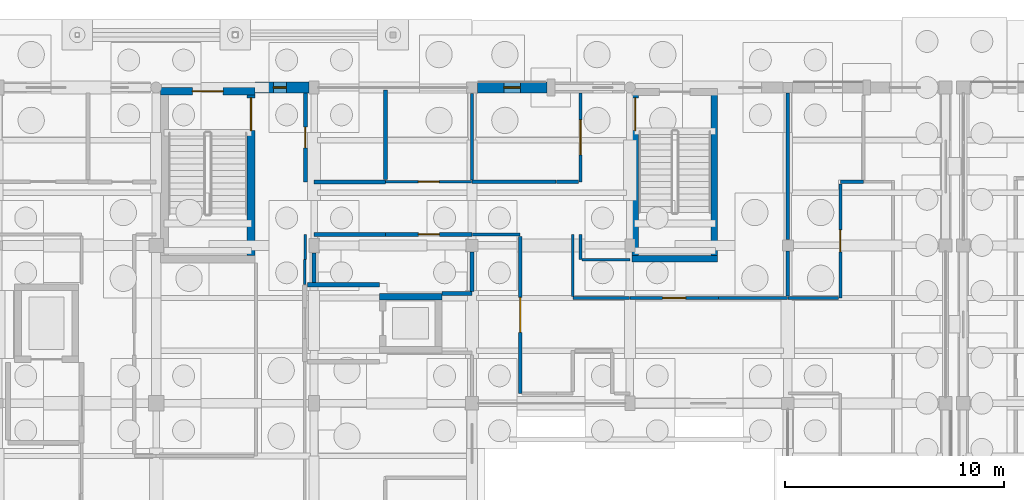
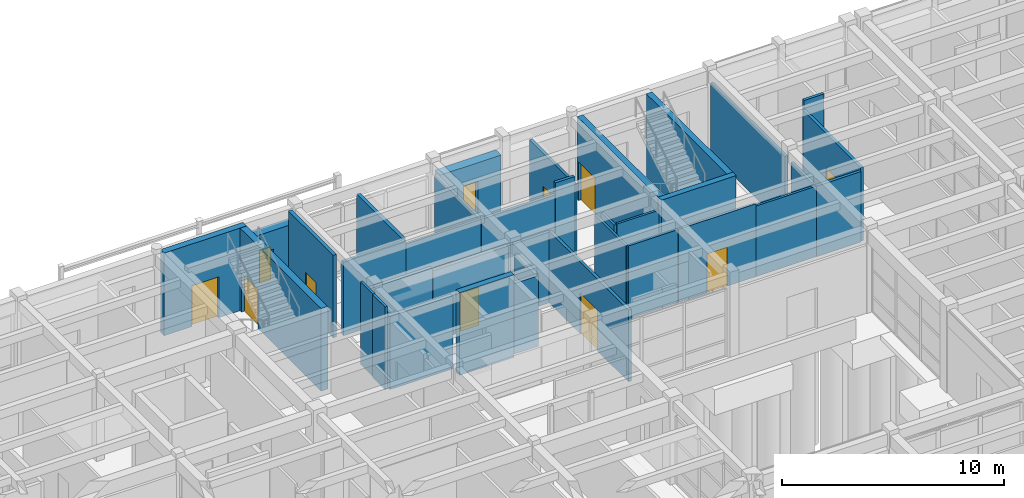
# One storey, part 115 of 143: 37 walls, 10 doors, 2 windows, 12 openings.
"""IFC4 building model written with IfcOpenShell, lengths in metres."""

from ifc_helpers import new_model, si_unit, direction, frame, frame_2d, origin, place, context, subcontext, project, spatial, rectangle, extrude, material, layer, layer_set, type_object, element, fill, save


model = new_model("IFC4")

# Units and contexts
model_context = context("Model", 3, precision=1e-05, world=origin(), true_north=direction((0.0, 1.0)))
body_context = subcontext(model_context, "Body", "Model", "MODEL_VIEW")
ifc_project = project(units=[si_unit("LENGTHUNIT", "METRE"), si_unit("AREAUNIT", "SQUARE_METRE"), si_unit("VOLUMEUNIT", "CUBIC_METRE"), si_unit("PLANEANGLEUNIT", "RADIAN"), si_unit("MASSUNIT", "GRAM", prefix="KILO")], contexts=[model_context])

# Site, building, storey
site_placement = place(None, origin())
site = spatial("IfcSite", under=ifc_project, at=site_placement, CompositionType="ELEMENT")
building_placement = place(site_placement, origin())
building = spatial("IfcBuilding", under=site, at=building_placement, Name="Steenspoor Specialist Clinic", CompositionType="ELEMENT")
storey_placement = place(building_placement, origin())
storey = spatial("IfcBuildingStorey", under=building, at=storey_placement, Name="L00", CompositionType="ELEMENT", Elevation=0.0)

# Wall, opening, window
ifc_material_1 = material(Name="Volcanic basalt ashlar masonry", Category="masonry")
ifc_layer_1 = layer(ifc_material_1, 0.47998046875)
ifc_layer_set_1 = layer_set([ifc_layer_1], Name="Volcanic basalt ashlar masonry")
wall_type_1 = type_object("IfcWallType", Name="W-BASALT-480", PredefinedType="SOLIDWALL", material=ifc_layer_set_1)
wall_1_placement = place(storey_placement, frame((85.699951171875, 108.35009765625, 0.0), z_axis=(0.0, 0.0, 1.0), x_axis=(1.0, 0.0, 0.0)))
wall_1 = element("IfcWall", 1, at=wall_1_placement, inside=storey, type_object=wall_type_1, Name="Exterior Brick Wall EW-V4-L00-0092", PredefinedType="SOLIDWALL", context=body_context, shape_type="SweptSolid", body=[
    extrude(rectangle(XDim=2.47509765625, YDim=0.47998046875, at=frame_2d((1.237548828125, 0.0))), origin(), (0.0, 0.0, 1.0), 3.72998046875),
])
opening_1_placement = place(wall_1_placement, frame((0.840087890625, 0.0, 0.89990234375)))
opening_1 = element("IfcOpeningElement", 2, at=opening_1_placement, cuts=wall_1, Name="Opening WN-01", PredefinedType="OPENING", context=body_context, shape_type="SweptSolid", body=[
    extrude(rectangle(XDim=0.60009765625, YDim=1.800048828125, at=frame_2d((0.300048828125, 0.89990234375))), frame((0.0, 0.25, 0.0), z_axis=(0.0, -1.0, 0.0), x_axis=(1.0, 0.0, 0.0)), (0.0, 0.0, 1.0), 0.5),
])
ifc_material_2 = material(Name="Thermally broken aluminium and low-emissivity glass", Category="aluminium")
window_type_1 = type_object("IfcWindowType", Name="WN-EXT-060X180", PartitioningType="SINGLE_PANEL", PredefinedType="WINDOW", material=ifc_material_2)
window_1_placement = place(opening_1_placement, origin())
window_1 = element("IfcWindow", 3, at=window_1_placement, inside=storey, type_object=window_type_1, Name="Window 0113", OverallHeight=1.800048828125, OverallWidth=0.60009765625, PartitioningType="SINGLE_PANEL", PredefinedType="WINDOW", context=body_context, shape_type="SweptSolid", body=[
    extrude(rectangle(XDim=0.60009765625, YDim=1.800048828125, at=frame_2d((0.300048828125, 0.89990234375))), frame((0.0, 0.030029296875, 0.0), z_axis=(0.0, -1.0, 0.0), x_axis=(1.0, 0.0, 0.0)), (0.0, 0.0, 1.0), 0.06005859375),
])
fill(opening_1, window_1)

wall_2_placement = place(storey_placement, frame((95.85009765625, 108.35009765625, 0.0), z_axis=(0.0, 0.0, 1.0), x_axis=(1.0, 0.0, 0.0)))
wall_2 = element("IfcWall", 4, at=wall_2_placement, inside=storey, type_object=wall_type_1, Name="Exterior Brick Wall EW-V4-L00-0093", PredefinedType="SOLIDWALL", context=body_context, shape_type="SweptSolid", body=[
    extrude(rectangle(XDim=3.159912109375, YDim=0.47998046875, at=frame_2d((1.580078125, 0.0))), origin(), (0.0, 0.0, 1.0), 3.72998046875),
])
opening_2_placement = place(wall_2_placement, frame((1.205078125, 0.0, 0.89990234375)))
opening_2 = element("IfcOpeningElement", 5, at=opening_2_placement, cuts=wall_2, Name="Opening WN-02", PredefinedType="OPENING", context=body_context, shape_type="SweptSolid", body=[
    extrude(rectangle(XDim=0.75, YDim=1.800048828125, at=frame_2d((0.375, 0.89990234375))), frame((0.0, 0.25, 0.0), z_axis=(0.0, -1.0, 0.0), x_axis=(1.0, 0.0, 0.0)), (0.0, 0.0, 1.0), 0.5),
])
window_type_2 = type_object("IfcWindowType", Name="WN-EXT-075X180", PartitioningType="SINGLE_PANEL", PredefinedType="WINDOW", material=ifc_material_2)
window_2_placement = place(opening_2_placement, origin())
window_2 = element("IfcWindow", 6, at=window_2_placement, inside=storey, type_object=window_type_2, Name="Window 0114", OverallHeight=1.800048828125, OverallWidth=0.75, PartitioningType="SINGLE_PANEL", PredefinedType="WINDOW", context=body_context, shape_type="SweptSolid", body=[
    extrude(rectangle(XDim=0.75, YDim=1.800048828125, at=frame_2d((0.375, 0.89990234375))), frame((0.0, 0.030029296875, 0.0), z_axis=(0.0, -1.0, 0.0), x_axis=(1.0, 0.0, 0.0)), (0.0, 0.0, 1.0), 0.06005859375),
])
fill(opening_2, window_2)

# Wall
ifc_material_3 = material(Name="Gypsum acoustic clinical partition", Category="gypsum")
ifc_layer_2 = layer(ifc_material_3, 0.14990234375)
ifc_layer_set_2 = layer_set([ifc_layer_2], Name="Gypsum acoustic clinical partition")
wall_type_2 = type_object("IfcWallType", Name="W-CLIN-150", PredefinedType="PARTITIONING", material=ifc_layer_set_2)
wall_3_placement = place(storey_placement, frame((95.614990234375, 101.64990234375, 0.0), z_axis=(0.0, 0.0, 1.0), x_axis=(1.0, 0.0, 0.0)))
element("IfcWall", 7, at=wall_3_placement, inside=storey, type_object=wall_type_2, Name="Interior Partition IW-V4-L00-0255", PredefinedType="PARTITIONING", context=body_context, shape_type="SweptSolid", body=[
    extrude(rectangle(XDim=2.18505859375, YDim=0.14990234375, at=frame_2d((1.092529296875, 0.0))), origin(), (0.0, 0.0, 1.0), 3.885009765625),
])

# Wall, opening, door
wall_4_placement = place(storey_placement, frame((97.800048828125, 94.39990234375, 0.0), z_axis=(0.0, 0.0, 1.0), x_axis=(0.0, 1.0, 0.0)))
wall_4 = element("IfcWall", 8, at=wall_4_placement, inside=storey, type_object=wall_type_2, Name="Interior Partition IW-V4-L00-0256", PredefinedType="PARTITIONING", context=body_context, shape_type="SweptSolid", body=[
    extrude(rectangle(XDim=7.16015625, YDim=0.14990234375, at=frame_2d((3.580078125, 0.0))), origin(), (0.0, 0.0, 1.0), 3.955078125),
])
opening_3_placement = place(wall_4_placement, frame((2.780029296875, 0.0, 0.0)))
opening_3 = element("IfcOpeningElement", 9, at=opening_3_placement, cuts=wall_4, Name="Opening D0175", PredefinedType="OPENING", context=body_context, shape_type="SweptSolid", body=[
    extrude(rectangle(XDim=1.60009765625, YDim=2.25, at=frame_2d((0.800048828125, 1.125))), frame((0.0, 0.0849609375, 0.0), z_axis=(0.0, -1.0, 0.0), x_axis=(1.0, 0.0, 0.0)), (0.0, 0.0, 1.0), 0.169921875),
])
ifc_material_4 = material(Name="Hygienic HPL clinical timber door", Category="wood")
door_type_1 = type_object("IfcDoorType", Name="DT-PROC-160X225", OperationType="NOTDEFINED", PredefinedType="DOOR", material=ifc_material_4)
door_1_placement = place(opening_3_placement, origin())
door_1 = element("IfcDoor", 10, at=door_1_placement, inside=storey, type_object=door_type_1, Name="Clinical Door D0175", OperationType="SINGLE_SWING_RIGHT", OverallHeight=2.25, OverallWidth=1.60009765625, PredefinedType="DOOR", context=body_context, shape_type="SweptSolid", body=[
    extrude(rectangle(XDim=1.60009765625, YDim=2.25, at=frame_2d((0.800048828125, 1.125))), frame((0.0, 0.02490234375, 0.0), z_axis=(0.0, -1.0, 0.0), x_axis=(1.0, 0.0, 0.0)), (0.0, 0.0, 1.0), 0.050048828125),
])
fill(opening_3, door_1)

# Wall
wall_5_placement = place(storey_placement, frame((112.39990234375, 104.050048828125, 0.0), z_axis=(0.0, 0.0, 1.0), x_axis=(1.0, 0.0, 0.0)))
element("IfcWall", 11, at=wall_5_placement, inside=storey, type_object=wall_type_2, Name="Interior Partition IW-V4-L00-0267", PredefinedType="PARTITIONING", context=body_context, shape_type="SweptSolid", body=[
    extrude(rectangle(XDim=1.050048828125, YDim=0.14990234375, at=frame_2d((0.52490234375, 0.0))), origin(), (0.0, 0.0, 1.0), 4.550048828125),
])

# Wall, opening, door
wall_6_placement = place(storey_placement, frame((112.39990234375, 98.75, 0.0), z_axis=(0.0, 0.0, 1.0), x_axis=(0.0, 1.0, 0.0)))
wall_6 = element("IfcWall", 12, at=wall_6_placement, inside=storey, type_object=wall_type_2, Name="Interior Partition IW-V4-L00-0268", PredefinedType="PARTITIONING", context=body_context, shape_type="SweptSolid", body=[
    extrude(rectangle(XDim=5.2099609375, YDim=0.14990234375, at=frame_2d((2.60498046875, 0.0))), origin(), (0.0, 0.0, 1.0), 4.054931640625),
])
opening_4_placement = place(wall_6_placement, frame((2.10498046875, 0.0, 0.0)))
opening_4 = element("IfcOpeningElement", 13, at=opening_4_placement, cuts=wall_6, Name="Opening D0179", PredefinedType="OPENING", context=body_context, shape_type="SweptSolid", body=[
    extrude(rectangle(XDim=1.0, YDim=2.14990234375, at=frame_2d((0.5, 1.074951171875))), frame((0.0, 0.0849609375, 0.0), z_axis=(0.0, -1.0, 0.0), x_axis=(1.0, 0.0, 0.0)), (0.0, 0.0, 1.0), 0.169921875),
])
ifc_material_5 = material(Name="Moisture-resistant HPL accessible WC door", Category="wood")
door_type_2 = type_object("IfcDoorType", Name="DT-AWC-100X215", OperationType="NOTDEFINED", PredefinedType="DOOR", material=ifc_material_5)
door_2_placement = place(opening_4_placement, origin())
door_2 = element("IfcDoor", 14, at=door_2_placement, inside=storey, type_object=door_type_2, Name="Clinical Door D0179", OperationType="SINGLE_SWING_RIGHT", OverallHeight=2.14990234375, OverallWidth=1.0, PredefinedType="DOOR", context=body_context, shape_type="SweptSolid", body=[
    extrude(rectangle(XDim=1.0, YDim=2.14990234375, at=frame_2d((0.5, 1.074951171875))), frame((0.0, 0.02490234375, 0.0), z_axis=(0.0, -1.0, 0.0), x_axis=(1.0, 0.0, 0.0)), (0.0, 0.0, 1.0), 0.050048828125),
])
fill(opening_4, door_2)

# Wall
wall_7_placement = place(storey_placement, frame((110.0, 98.75, 0.0), z_axis=(0.0, 0.0, 1.0), x_axis=(1.0, 0.0, 0.0)))
element("IfcWall", 15, at=wall_7_placement, inside=storey, type_object=wall_type_2, Name="Interior Partition IW-V4-L00-0269", PredefinedType="PARTITIONING", context=body_context, shape_type="SweptSolid", body=[
    extrude(rectangle(XDim=2.31005859375, YDim=0.14990234375, at=frame_2d((1.155029296875, 0.0))), origin(), (0.0, 0.0, 1.0), 3.885009765625),
])

# Wall, opening, door
wall_8_placement = place(storey_placement, frame((100.550048828125, 104.050048828125, 0.0), z_axis=(0.0, 0.0, 1.0), x_axis=(0.0, 1.0, 0.0)))
wall_8 = element("IfcWall", 16, at=wall_8_placement, inside=storey, type_object=wall_type_2, Name="Interior Partition IW-V4-L00-0271", PredefinedType="PARTITIONING", context=body_context, shape_type="SweptSolid", body=[
    extrude(rectangle(XDim=4.044921875, YDim=0.14990234375, at=frame_2d((2.0224609375, 0.0))), origin(), (0.0, 0.0, 1.0), 4.074951171875),
])
opening_5_placement = place(wall_8_placement, frame((1.222412109375, 0.0, 0.0)))
opening_5 = element("IfcOpeningElement", 17, at=opening_5_placement, cuts=wall_8, Name="Opening D0187", PredefinedType="OPENING", context=body_context, shape_type="SweptSolid", body=[
    extrude(rectangle(XDim=1.60009765625, YDim=2.25, at=frame_2d((0.800048828125, 1.125))), frame((0.0, 0.0849609375, 0.0), z_axis=(0.0, -1.0, 0.0), x_axis=(1.0, 0.0, 0.0)), (0.0, 0.0, 1.0), 0.169921875),
])
door_3_placement = place(opening_5_placement, origin())
door_3 = element("IfcDoor", 18, at=door_3_placement, inside=storey, type_object=door_type_1, Name="Clinical Door D0187", OperationType="SINGLE_SWING_RIGHT", OverallHeight=2.25, OverallWidth=1.60009765625, PredefinedType="DOOR", context=body_context, shape_type="SweptSolid", body=[
    extrude(rectangle(XDim=1.60009765625, YDim=2.25, at=frame_2d((0.800048828125, 1.125))), frame((0.0, 0.02490234375, 0.0), z_axis=(0.0, -1.0, 0.0), x_axis=(1.0, 0.0, 0.0)), (0.0, 0.0, 1.0), 0.050048828125),
])
fill(opening_5, door_3)

# Walls
wall_9_placement = place(storey_placement, frame((99.449951171875, 104.050048828125, 0.0), z_axis=(0.0, 0.0, 1.0), x_axis=(1.0, 0.0, 0.0)))
element("IfcWall", 19, at=wall_9_placement, inside=storey, type_object=wall_type_2, Name="Interior Partition IW-V4-L00-0272", PredefinedType="PARTITIONING", context=body_context, shape_type="SweptSolid", body=[
    extrude(rectangle(XDim=1.010009765625, YDim=0.14990234375, at=frame_2d((0.5048828125, 0.0))), origin(), (0.0, 0.0, 1.0), 4.550048828125),
])
wall_10_placement = place(storey_placement, frame((95.60009765625, 104.050048828125, 0.0), z_axis=(0.0, 0.0, 1.0), x_axis=(1.0, 0.0, 0.0)))
element("IfcWall", 20, at=wall_10_placement, inside=storey, type_object=wall_type_2, Name="Interior Partition IW-V4-L00-0273", PredefinedType="PARTITIONING", context=body_context, shape_type="SweptSolid", body=[
    extrude(rectangle(XDim=3.8349609375, YDim=0.14990234375, at=frame_2d((1.91748046875, 0.0))), origin(), (0.0, 0.0, 1.0), 3.885009765625),
])
wall_11_placement = place(storey_placement, frame((110.0, 98.840087890625, 0.0), z_axis=(0.0, 0.0, 1.0), x_axis=(0.0, 1.0, 0.0)))
element("IfcWall", 21, at=wall_11_placement, inside=storey, type_object=wall_type_2, Name="Interior Partition IW-V4-L00-0628", PredefinedType="PARTITIONING", context=body_context, shape_type="SweptSolid", body=[
    extrude(rectangle(XDim=2.044921875, YDim=0.14990234375, at=frame_2d((1.0224609375, 0.0))), origin(), (0.0, 0.0, 1.0), 3.885009765625),
])
wall_12_placement = place(storey_placement, frame((110.0, 101.4150390625, 0.0), z_axis=(0.0, 0.0, 1.0), x_axis=(0.0, 1.0, 0.0)))
element("IfcWall", 22, at=wall_12_placement, inside=storey, type_object=wall_type_2, Name="Interior Partition IW-V4-L00-0629", PredefinedType="PARTITIONING", context=body_context, shape_type="SweptSolid", body=[
    extrude(rectangle(XDim=6.695068359375, YDim=0.14990234375, at=frame_2d((3.34765625, 0.0))), origin(), (0.0, 0.0, 1.0), 3.885009765625),
])
wall_13_placement = place(storey_placement, frame((95.60009765625, 104.139892578125, 0.0), z_axis=(0.0, 0.0, 1.0), x_axis=(0.0, 1.0, 0.0)))
element("IfcWall", 23, at=wall_13_placement, inside=storey, type_object=wall_type_2, Name="Interior Partition IW-V4-L00-0631", PredefinedType="PARTITIONING", context=body_context, shape_type="SweptSolid", body=[
    extrude(rectangle(XDim=3.945068359375, YDim=0.14990234375, at=frame_2d((1.97265625, 0.0))), origin(), (0.0, 0.0, 1.0), 3.885009765625),
])

# Wall, opening, door
ifc_material_6 = material(Name="Concrete C40/50", Category="concrete")
ifc_layer_3 = layer(ifc_material_6, 0.330078125)
ifc_layer_set_3 = layer_set([ifc_layer_3], Name="Concrete C40/50")
wall_type_3 = type_object("IfcWallType", Name="W-ESW-330", PredefinedType="SHEAR", material=ifc_layer_set_3)
wall_14_placement = place(storey_placement, frame((81.39990234375, 108.175048828125, 0.0), z_axis=(0.0, 0.0, 1.0), x_axis=(1.0, 0.0, 0.0)))
wall_14 = element("IfcWall", 24, at=wall_14_placement, inside=storey, type_object=wall_type_3, Name="Core Shear Wall SW-ST-V4C-L00-N", PredefinedType="SHEAR", context=body_context, shape_type="SweptSolid", body=[
    extrude(rectangle(XDim=4.300048828125, YDim=0.330078125, at=frame_2d((2.14990234375, 0.0))), origin(), (0.0, 0.0, 1.0), 4.550048828125),
])
opening_6_placement = place(wall_14_placement, frame((1.449951171875, 0.0, 0.0)))
opening_6 = element("IfcOpeningElement", 25, at=opening_6_placement, cuts=wall_14, Name="Opening ED07", PredefinedType="OPENING", context=body_context, shape_type="SweptSolid", body=[
    extrude(rectangle(XDim=1.39990234375, YDim=2.25, at=frame_2d((0.699951171875, 1.125))), frame((0.0, 0.175048828125, 0.0), z_axis=(0.0, -1.0, 0.0), x_axis=(1.0, 0.0, 0.0)), (0.0, 0.0, 1.0), 0.35009765625),
])
ifc_material_7 = material(Name="Painted galvanised steel door", Category="steel")
door_type_3 = type_object("IfcDoorType", Name="DT-EXIT-140X225", OperationType="NOTDEFINED", PredefinedType="DOOR", material=ifc_material_7)
door_4_placement = place(opening_6_placement, origin())
door_4 = element("IfcDoor", 26, at=door_4_placement, inside=storey, type_object=door_type_3, Name="Exit Stair Discharge Door ED07", OperationType="SINGLE_SWING_LEFT", OverallHeight=2.25, OverallWidth=1.39990234375, PredefinedType="DOOR", context=body_context, shape_type="SweptSolid", body=[
    extrude(rectangle(XDim=1.39990234375, YDim=2.25, at=frame_2d((0.699951171875, 1.125))), frame((0.0, 0.02490234375, 0.0), z_axis=(0.0, -1.0, 0.0), x_axis=(1.0, 0.0, 0.0)), (0.0, 0.0, 1.0), 0.050048828125),
])
fill(opening_6, door_4)

# Walls
ifc_material_8 = material(Name="Gypsum studio partition board", Category="gypsum")
ifc_layer_4 = layer(ifc_material_8, 0.1201171875)
ifc_layer_set_4 = layer_set([ifc_layer_4], Name="Gypsum studio partition board")
wall_type_4 = type_object("IfcWallType", Name="W-PART-120", PredefinedType="PARTITIONING", material=ifc_layer_set_4)
for number, where, z_axis, x_axis, name in (
    (27, (87.969970703125, 99.364990234375, 0.0), (0.0, 0.0, 1.0), (0.0, 1.0, 0.0), "Interior Partition IW-V4-L00-0339"),
    (28, (88.0, 100.514892578125, 0.0), (0.0, 0.0, 1.0), (0.0, 1.0, 0.0), "Interior Partition IW-V4-L00-0340"),
):
    element("IfcWall", number, at=place(storey_placement, frame(where, z_axis=z_axis, x_axis=x_axis)), inside=storey, type_object=wall_type_4, Name=name, PredefinedType="PARTITIONING", context=body_context, shape_type="SweptSolid", body=[
        extrude(rectangle(XDim=1.135009765625, YDim=0.1201171875, at=frame_2d((0.5673828125, 0.0))), origin(), (0.0, 0.0, 1.0), 4.550048828125),
    ])
wall_15_placement = place(storey_placement, frame((100.550048828125, 100.5, 0.0), z_axis=(0.0, 0.0, 1.0), x_axis=(0.0, 1.0, 0.0)))
element("IfcWall", 29, at=wall_15_placement, inside=storey, type_object=wall_type_4, Name="Interior Partition IW-V4-L00-0356", PredefinedType="PARTITIONING", context=body_context, shape_type="SweptSolid", body=[
    extrude(rectangle(XDim=1.14990234375, YDim=0.1201171875, at=frame_2d((0.574951171875, 0.0))), origin(), (0.0, 0.0, 1.0), 3.955078125),
])
wall_16_placement = place(storey_placement, frame((100.625, 100.5, 0.0), z_axis=(0.0, 0.0, 1.0), x_axis=(1.0, 0.0, 0.0)))
element("IfcWall", 30, at=wall_16_placement, inside=storey, type_object=wall_type_4, Name="Interior Partition IW-V4-L00-0357", PredefinedType="PARTITIONING", context=body_context, shape_type="SweptSolid", body=[
    extrude(rectangle(XDim=2.175048828125, YDim=0.1201171875, at=frame_2d((1.08740234375, 0.0))), origin(), (0.0, 0.0, 1.0), 4.014892578125),
])
wall_17_placement = place(storey_placement, frame((106.85009765625, 98.75, 0.0), z_axis=(0.0, 0.0, 1.0), x_axis=(1.0, 0.0, 0.0)))
element("IfcWall", 31, at=wall_17_placement, inside=storey, type_object=wall_type_4, Name="Interior Partition IW-V4-L00-0358", PredefinedType="PARTITIONING", context=body_context, shape_type="SweptSolid", body=[
    extrude(rectangle(XDim=3.135009765625, YDim=0.1201171875, at=frame_2d((1.5673828125, 0.0))), origin(), (0.0, 0.0, 1.0), 3.885009765625),
])

# Wall, opening, door
wall_18_placement = place(storey_placement, frame((102.800048828125, 98.75, 0.0), z_axis=(0.0, 0.0, 1.0), x_axis=(1.0, 0.0, 0.0)))
wall_18 = element("IfcWall", 32, at=wall_18_placement, inside=storey, type_object=wall_type_4, Name="Interior Partition IW-V4-L00-0359", PredefinedType="PARTITIONING", context=body_context, shape_type="SweptSolid", body=[
    extrude(rectangle(XDim=4.034912109375, YDim=0.1201171875, at=frame_2d((2.017578125, 0.0))), origin(), (0.0, 0.0, 1.0), 4.014892578125),
])
opening_7_placement = place(wall_18_placement, frame((1.492431640625, 0.0, 0.0)))
opening_7 = element("IfcOpeningElement", 33, at=opening_7_placement, cuts=wall_18, Name="Opening D0178", PredefinedType="OPENING", context=body_context, shape_type="SweptSolid", body=[
    extrude(rectangle(XDim=1.050048828125, YDim=2.14990234375, at=frame_2d((0.52490234375, 1.074951171875))), frame((0.0, 0.070068359375, 0.0), z_axis=(0.0, -1.0, 0.0), x_axis=(1.0, 0.0, 0.0)), (0.0, 0.0, 1.0), 0.14013671875),
])
ifc_material_9 = material(Name="Solid-core hardwood office door", Category="wood")
door_type_4 = type_object("IfcDoorType", Name="DT-OFF-105X215", OperationType="NOTDEFINED", PredefinedType="DOOR", material=ifc_material_9)
door_5_placement = place(opening_7_placement, origin())
door_5 = element("IfcDoor", 34, at=door_5_placement, inside=storey, type_object=door_type_4, Name="Clinical Door D0178", OperationType="SINGLE_SWING_LEFT", OverallHeight=2.14990234375, OverallWidth=1.050048828125, PredefinedType="DOOR", context=body_context, shape_type="SweptSolid", body=[
    extrude(rectangle(XDim=1.050048828125, YDim=2.14990234375, at=frame_2d((0.52490234375, 1.074951171875))), frame((0.0, 0.02490234375, 0.0), z_axis=(0.0, -1.0, 0.0), x_axis=(1.0, 0.0, 0.0)), (0.0, 0.0, 1.0), 0.050048828125),
])
fill(opening_7, door_5)

# Walls
wall_19_placement = place(storey_placement, frame((100.199951171875, 98.75, 0.0), z_axis=(0.0, 0.0, 1.0), x_axis=(1.0, 0.0, 0.0)))
element("IfcWall", 35, at=wall_19_placement, inside=storey, type_object=wall_type_4, Name="Interior Partition IW-V4-L00-0360", PredefinedType="PARTITIONING", context=body_context, shape_type="SweptSolid", body=[
    extrude(rectangle(XDim=2.5849609375, YDim=0.1201171875, at=frame_2d((1.29248046875, 0.0))), origin(), (0.0, 0.0, 1.0), 4.014892578125),
])
wall_20_placement = place(storey_placement, frame((100.199951171875, 98.824951171875, 0.0), z_axis=(0.0, 0.0, 1.0), x_axis=(0.0, 1.0, 0.0)))
element("IfcWall", 36, at=wall_20_placement, inside=storey, type_object=wall_type_4, Name="Interior Partition IW-V4-L00-0361", PredefinedType="PARTITIONING", context=body_context, shape_type="SweptSolid", body=[
    extrude(rectangle(XDim=2.824951171875, YDim=0.1201171875, at=frame_2d((1.41259765625, 0.0))), origin(), (0.0, 0.0, 1.0), 3.955078125),
])

# Wall, opening, door
wall_21_placement = place(storey_placement, frame((91.6650390625, 104.050048828125, 0.0), z_axis=(0.0, 0.0, 1.0), x_axis=(1.0, 0.0, 0.0)))
wall_21 = element("IfcWall", 37, at=wall_21_placement, inside=storey, type_object=wall_type_4, Name="Interior Partition IW-V4-L00-0363", PredefinedType="PARTITIONING", context=body_context, shape_type="SweptSolid", body=[
    extrude(rectangle(XDim=3.919921875, YDim=0.1201171875, at=frame_2d((1.9599609375, 0.0))), origin(), (0.0, 0.0, 1.0), 3.885009765625),
])
opening_8_placement = place(wall_21_placement, frame((1.485107421875, 0.0, 0.0)))
opening_8 = element("IfcOpeningElement", 38, at=opening_8_placement, cuts=wall_21, Name="Opening D0186", PredefinedType="OPENING", context=body_context, shape_type="SweptSolid", body=[
    extrude(rectangle(XDim=0.949951171875, YDim=2.10009765625, at=frame_2d((0.47509765625, 1.050048828125))), frame((0.0, 0.070068359375, 0.0), z_axis=(0.0, -1.0, 0.0), x_axis=(1.0, 0.0, 0.0)), (0.0, 0.0, 1.0), 0.14013671875),
])
ifc_material_10 = material(Name="Moisture-resistant HPL sanitary door", Category="wood")
door_type_5 = type_object("IfcDoorType", Name="DT-WC-095X210", OperationType="NOTDEFINED", PredefinedType="DOOR", material=ifc_material_10)
door_6_placement = place(opening_8_placement, origin())
door_6 = element("IfcDoor", 39, at=door_6_placement, inside=storey, type_object=door_type_5, Name="Clinical Door D0186", OperationType="SINGLE_SWING_LEFT", OverallHeight=2.10009765625, OverallWidth=0.949951171875, PredefinedType="DOOR", context=body_context, shape_type="SweptSolid", body=[
    extrude(rectangle(XDim=0.949951171875, YDim=2.10009765625, at=frame_2d((0.47509765625, 1.050048828125))), frame((0.0, 0.02490234375, 0.0), z_axis=(0.0, -1.0, 0.0), x_axis=(1.0, 0.0, 0.0)), (0.0, 0.0, 1.0), 0.050048828125),
])
fill(opening_8, door_6)

# Wall
ifc_material_11 = material(Name="Moisture-resistant gypsum plumbing wall", Category="gypsum")
ifc_layer_5 = layer(ifc_material_11, 0.179931640625)
ifc_layer_set_5 = layer_set([ifc_layer_5], Name="Moisture-resistant gypsum plumbing wall")
wall_type_5 = type_object("IfcWallType", Name="W-PLUMB-180", PredefinedType="PLUMBINGWALL", material=ifc_layer_set_5)
wall_22_placement = place(storey_placement, frame((88.39990234375, 101.64990234375, 0.0), z_axis=(0.0, 0.0, 1.0), x_axis=(1.0, 0.0, 0.0)))
element("IfcWall", 40, at=wall_22_placement, inside=storey, type_object=wall_type_5, Name="Interior Partition IW-V4-L00-0142", PredefinedType="PLUMBINGWALL", context=body_context, shape_type="SweptSolid", body=[
    extrude(rectangle(XDim=3.25, YDim=0.179931640625, at=frame_2d((1.625, 0.0))), origin(), (0.0, 0.0, 1.0), 4.054931640625),
])

# Wall, opening, door
wall_23_placement = place(storey_placement, frame((91.6650390625, 101.64990234375, 0.0), z_axis=(0.0, 0.0, 1.0), x_axis=(1.0, 0.0, 0.0)))
wall_23 = element("IfcWall", 41, at=wall_23_placement, inside=storey, type_object=wall_type_5, Name="Interior Partition IW-V4-L00-0143", PredefinedType="PLUMBINGWALL", context=body_context, shape_type="SweptSolid", body=[
    extrude(rectangle(XDim=3.93505859375, YDim=0.179931640625, at=frame_2d((1.967529296875, 0.0))), origin(), (0.0, 0.0, 1.0), 3.885009765625),
])
opening_9_placement = place(wall_23_placement, frame((1.492431640625, 0.0, 0.0)))
opening_9 = element("IfcOpeningElement", 42, at=opening_9_placement, cuts=wall_23, Name="Opening D0180", PredefinedType="OPENING", context=body_context, shape_type="SweptSolid", body=[
    extrude(rectangle(XDim=0.949951171875, YDim=2.10009765625, at=frame_2d((0.47509765625, 1.050048828125))), frame((0.0, 0.10009765625, 0.0), z_axis=(0.0, -1.0, 0.0), x_axis=(1.0, 0.0, 0.0)), (0.0, 0.0, 1.0), 0.199951171875),
])
door_7_placement = place(opening_9_placement, origin())
door_7 = element("IfcDoor", 43, at=door_7_placement, inside=storey, type_object=door_type_5, Name="Clinical Door D0180", OperationType="SINGLE_SWING_LEFT", OverallHeight=2.10009765625, OverallWidth=0.949951171875, PredefinedType="DOOR", context=body_context, shape_type="SweptSolid", body=[
    extrude(rectangle(XDim=0.949951171875, YDim=2.10009765625, at=frame_2d((0.47509765625, 1.050048828125))), frame((0.0, 0.02490234375, 0.0), z_axis=(0.0, -1.0, 0.0), x_axis=(1.0, 0.0, 0.0)), (0.0, 0.0, 1.0), 0.050048828125),
])
fill(opening_9, door_7)

wall_24_placement = place(storey_placement, frame((88.0, 104.050048828125, 0.0), z_axis=(0.0, 0.0, 1.0), x_axis=(0.0, 1.0, 0.0)))
wall_24 = element("IfcWall", 44, at=wall_24_placement, inside=storey, type_object=wall_type_5, Name="Interior Partition IW-V4-L00-0146", PredefinedType="PLUMBINGWALL", context=body_context, shape_type="SweptSolid", body=[
    extrude(rectangle(XDim=4.044921875, YDim=0.179931640625, at=frame_2d((2.0224609375, 0.0))), origin(), (0.0, 0.0, 1.0), 4.550048828125),
])
opening_10_placement = place(wall_24_placement, frame((1.547607421875, 0.0, 0.0)))
opening_10 = element("IfcOpeningElement", 45, at=opening_10_placement, cuts=wall_24, Name="Opening D0185", PredefinedType="OPENING", context=body_context, shape_type="SweptSolid", body=[
    extrude(rectangle(XDim=0.949951171875, YDim=2.10009765625, at=frame_2d((0.47509765625, 1.050048828125))), frame((0.0, 0.10009765625, 0.0), z_axis=(0.0, -1.0, 0.0), x_axis=(1.0, 0.0, 0.0)), (0.0, 0.0, 1.0), 0.199951171875),
])
door_8_placement = place(opening_10_placement, origin())
door_8 = element("IfcDoor", 46, at=door_8_placement, inside=storey, type_object=door_type_5, Name="Clinical Door D0185", OperationType="SINGLE_SWING_RIGHT", OverallHeight=2.10009765625, OverallWidth=0.949951171875, PredefinedType="DOOR", context=body_context, shape_type="SweptSolid", body=[
    extrude(rectangle(XDim=0.949951171875, YDim=2.10009765625, at=frame_2d((0.47509765625, 1.050048828125))), frame((0.0, 0.02490234375, 0.0), z_axis=(0.0, -1.0, 0.0), x_axis=(1.0, 0.0, 0.0)), (0.0, 0.0, 1.0), 0.050048828125),
])
fill(opening_10, door_8)

# Walls
wall_25_placement = place(storey_placement, frame((88.39990234375, 104.050048828125, 0.0), z_axis=(0.0, 0.0, 1.0), x_axis=(1.0, 0.0, 0.0)))
element("IfcWall", 47, at=wall_25_placement, inside=storey, type_object=wall_type_5, Name="Interior Partition IW-V4-L00-0147", PredefinedType="PLUMBINGWALL", context=body_context, shape_type="SweptSolid", body=[
    extrude(rectangle(XDim=3.25, YDim=0.179931640625, at=frame_2d((1.625, 0.0))), origin(), (0.0, 0.0, 1.0), 4.054931640625),
])
wall_26_placement = place(storey_placement, frame((88.39990234375, 99.465087890625, 0.0), z_axis=(0.0, 0.0, 1.0), x_axis=(0.0, 1.0, 0.0)))
element("IfcWall", 48, at=wall_26_placement, inside=storey, type_object=wall_type_5, Name="Interior Partition IW-V4-L00-0520", PredefinedType="PLUMBINGWALL", context=body_context, shape_type="SweptSolid", body=[
    extrude(rectangle(XDim=1.344970703125, YDim=0.179931640625, at=frame_2d((0.67236328125, 0.0))), origin(), (0.0, 0.0, 1.0), 4.014892578125),
])
wall_27_placement = place(storey_placement, frame((94.239990234375, 98.949951171875, 0.0), z_axis=(0.0, 0.0, 1.0), x_axis=(1.0, 0.0, 0.0)))
element("IfcWall", 49, at=wall_27_placement, inside=storey, type_object=wall_type_5, Name="Interior Partition IW-V4-L00-0524", PredefinedType="PLUMBINGWALL", context=body_context, shape_type="SweptSolid", body=[
    extrude(rectangle(XDim=1.360107421875, YDim=0.179931640625, at=frame_2d((0.68017578125, 0.0))), origin(), (0.0, 0.0, 1.0), 3.885009765625),
])
wall_28_placement = place(storey_placement, frame((95.60009765625, 99.054931640625, 0.0), z_axis=(0.0, 0.0, 1.0), x_axis=(0.0, 1.0, 0.0)))
element("IfcWall", 50, at=wall_28_placement, inside=storey, type_object=wall_type_5, Name="Interior Partition IW-V4-L00-0525", PredefinedType="PLUMBINGWALL", context=body_context, shape_type="SweptSolid", body=[
    extrude(rectangle(XDim=1.80517578125, YDim=0.179931640625, at=frame_2d((0.902587890625, 0.0))), origin(), (0.0, 0.0, 1.0), 3.885009765625),
])
wall_29_placement = place(storey_placement, frame((91.64990234375, 104.155029296875, 0.0), z_axis=(0.0, 0.0, 1.0), x_axis=(0.0, 1.0, 0.0)))
element("IfcWall", 51, at=wall_29_placement, inside=storey, type_object=wall_type_5, Name="Interior Partition IW-V4-L00-0527", PredefinedType="PLUMBINGWALL", context=body_context, shape_type="SweptSolid", body=[
    extrude(rectangle(XDim=4.090087890625, YDim=0.179931640625, at=frame_2d((2.044921875, 0.0))), origin(), (0.0, 0.0, 1.0), 4.114990234375),
])
ifc_material_12 = material(Name="Gypsum acoustic smoke barrier board", Category="gypsum")
ifc_layer_6 = layer(ifc_material_12, 0.199951171875)
ifc_layer_set_6 = layer_set([ifc_layer_6], Name="Gypsum acoustic smoke barrier board")
wall_type_6 = type_object("IfcWallType", Name="W-SMOKE-200", PredefinedType="PARTITIONING", material=ifc_layer_set_6)
wall_30_placement = place(storey_placement, frame((88.090087890625, 99.35009765625, 0.0), z_axis=(0.0, 0.0, 1.0), x_axis=(1.0, 0.0, 0.0)))
element("IfcWall", 52, at=wall_30_placement, inside=storey, type_object=wall_type_6, Name="Interior Partition IW-V4-L00-0025", PredefinedType="PARTITIONING", context=body_context, shape_type="SweptSolid", body=[
    extrude(rectangle(XDim=3.284912109375, YDim=0.199951171875, at=frame_2d((1.642578125, 0.0))), origin(), (0.0, 0.0, 1.0), 4.014892578125),
])
ifc_layer_7 = layer(ifc_material_6, 0.300048828125)
ifc_layer_set_7 = layer_set([ifc_layer_7], Name="Concrete C40/50")
wall_type_7 = type_object("IfcWallType", Name="W-SW-300", PredefinedType="SHEAR", material=ifc_layer_set_7)
wall_31_placement = place(storey_placement, frame((102.89990234375, 100.550048828125, 0.0), z_axis=(0.0, 0.0, 1.0), x_axis=(1.0, 0.0, 0.0)))
element("IfcWall", 53, at=wall_31_placement, inside=storey, type_object=wall_type_7, Name="Core Shear Wall SW-ST-V4B-L00-S", PredefinedType="SHEAR", context=body_context, shape_type="SweptSolid", body=[
    extrude(rectangle(XDim=3.900146484375, YDim=0.300048828125, at=frame_2d((1.9501953125, 0.0))), origin(), (0.0, 0.0, 1.0), 4.550048828125),
])

# Wall, opening, door
wall_32_placement = place(storey_placement, frame((103.050048828125, 100.699951171875, 0.0), z_axis=(0.0, 0.0, 1.0), x_axis=(0.0, 1.0, 0.0)))
wall_32 = element("IfcWall", 54, at=wall_32_placement, inside=storey, type_object=wall_type_7, Name="Core Shear Wall SW-ST-V4B-L00-W", PredefinedType="SHEAR", context=body_context, shape_type="SweptSolid", body=[
    extrude(rectangle(XDim=7.300048828125, YDim=0.300048828125, at=frame_2d((3.64990234375, 0.0))), origin(), (0.0, 0.0, 1.0), 4.550048828125),
])
opening_11_placement = place(wall_32_placement, frame((5.679931640625, 0.0, 0.0)))
opening_11 = element("IfcOpeningElement", 55, at=opening_11_placement, cuts=wall_32, Name="Opening SD015", PredefinedType="OPENING", context=body_context, shape_type="SweptSolid", body=[
    extrude(rectangle(XDim=1.5, YDim=2.14990234375, at=frame_2d((0.75, 1.074951171875))), frame((0.0, 0.16015625, 0.0), z_axis=(0.0, -1.0, 0.0), x_axis=(1.0, 0.0, 0.0)), (0.0, 0.0, 1.0), 0.320068359375),
])
ifc_material_13 = material(Name="Fire-rated steel acoustic door", Category="steel")
door_type_6 = type_object("IfcDoorType", Name="DT-STAIR-150X215", OperationType="NOTDEFINED", PredefinedType="DOOR", material=ifc_material_13)
door_9_placement = place(opening_11_placement, origin())
door_9 = element("IfcDoor", 56, at=door_9_placement, inside=storey, type_object=door_type_6, Name="Exit Stair Fire Door SD015", OperationType="SINGLE_SWING_RIGHT", OverallHeight=2.14990234375, OverallWidth=1.5, PredefinedType="DOOR", context=body_context, shape_type="SweptSolid", body=[
    extrude(rectangle(XDim=1.5, YDim=2.14990234375, at=frame_2d((0.75, 1.074951171875))), frame((0.0, 0.02490234375, 0.0), z_axis=(0.0, -1.0, 0.0), x_axis=(1.0, 0.0, 0.0)), (0.0, 0.0, 1.0), 0.050048828125),
])
fill(opening_11, door_9)

# Walls
wall_33_placement = place(storey_placement, frame((106.64990234375, 100.699951171875, 0.0), z_axis=(0.0, 0.0, 1.0), x_axis=(0.0, 1.0, 0.0)))
element("IfcWall", 57, at=wall_33_placement, inside=storey, type_object=wall_type_7, Name="Core Shear Wall SW-ST-V4B-L00-E", PredefinedType="SHEAR", context=body_context, shape_type="SweptSolid", body=[
    extrude(rectangle(XDim=7.300048828125, YDim=0.300048828125, at=frame_2d((3.64990234375, 0.0))), origin(), (0.0, 0.0, 1.0), 4.550048828125),
])
wall_34_placement = place(storey_placement, frame((91.375, 98.800048828125, 0.0), z_axis=(0.0, 0.0, 1.0), x_axis=(1.0, 0.0, 0.0)))
element("IfcWall", 58, at=wall_34_placement, inside=storey, type_object=wall_type_7, Name="Lift Shaft Shear Wall SW-EL-P1-L00-N", PredefinedType="SHEAR", context=body_context, shape_type="SweptSolid", body=[
    extrude(rectangle(XDim=2.85009765625, YDim=0.300048828125, at=frame_2d((1.425048828125, 0.0))), origin(), (0.0, 0.0, 1.0), 4.550048828125),
])

# Wall, opening, door
ifc_layer_8 = layer(ifc_material_6, 0.35009765625)
ifc_layer_set_8 = layer_set([ifc_layer_8], Name="Concrete C40/50")
wall_type_8 = type_object("IfcWallType", Name="W-SW-350", PredefinedType="SHEAR", material=ifc_layer_set_8)
wall_35_placement = place(storey_placement, frame((85.52490234375, 100.699951171875, 0.0), z_axis=(0.0, 0.0, 1.0), x_axis=(0.0, 1.0, 0.0)))
wall_35 = element("IfcWall", 59, at=wall_35_placement, inside=storey, type_object=wall_type_8, Name="Core Shear Wall SW-ST-V4C-L00-E", PredefinedType="SHEAR", context=body_context, shape_type="SweptSolid", body=[
    extrude(rectangle(XDim=7.300048828125, YDim=0.35009765625, at=frame_2d((3.64990234375, 0.0))), origin(), (0.0, 0.0, 1.0), 4.550048828125),
])
opening_12_placement = place(wall_35_placement, frame((5.679931640625, 0.0, 0.0)))
opening_12 = element("IfcOpeningElement", 60, at=opening_12_placement, cuts=wall_35, Name="Opening SD021", PredefinedType="OPENING", context=body_context, shape_type="SweptSolid", body=[
    extrude(rectangle(XDim=1.5, YDim=2.14990234375, at=frame_2d((0.75, 1.074951171875))), frame((0.0, 0.18505859375, 0.0), z_axis=(0.0, -1.0, 0.0), x_axis=(1.0, 0.0, 0.0)), (0.0, 0.0, 1.0), 0.3701171875),
])
door_10_placement = place(opening_12_placement, origin())
door_10 = element("IfcDoor", 61, at=door_10_placement, inside=storey, type_object=door_type_6, Name="Exit Stair Fire Door SD021", OperationType="SINGLE_SWING_RIGHT", OverallHeight=2.14990234375, OverallWidth=1.5, PredefinedType="DOOR", context=body_context, shape_type="SweptSolid", body=[
    extrude(rectangle(XDim=1.5, YDim=2.14990234375, at=frame_2d((0.75, 1.074951171875))), frame((0.0, 0.02490234375, 0.0), z_axis=(0.0, -1.0, 0.0), x_axis=(1.0, 0.0, 0.0)), (0.0, 0.0, 1.0), 0.050048828125),
])
fill(opening_12, door_10)

save(model, "model.ifc")
